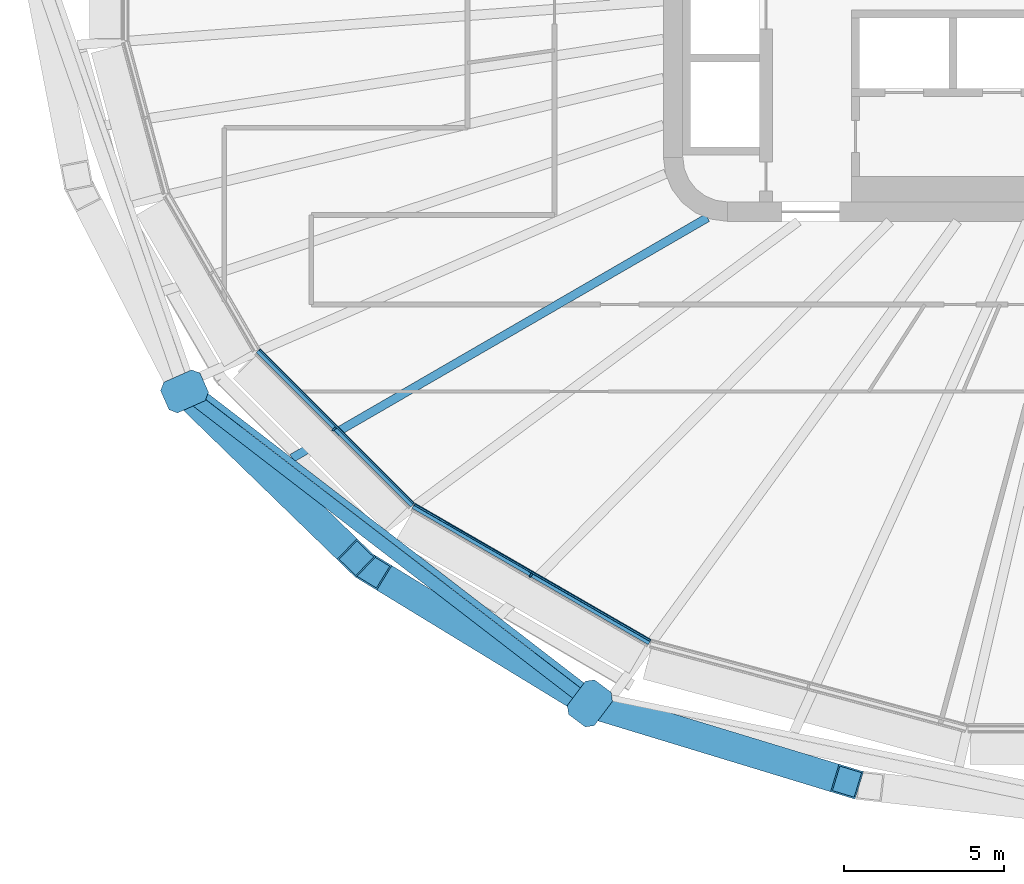
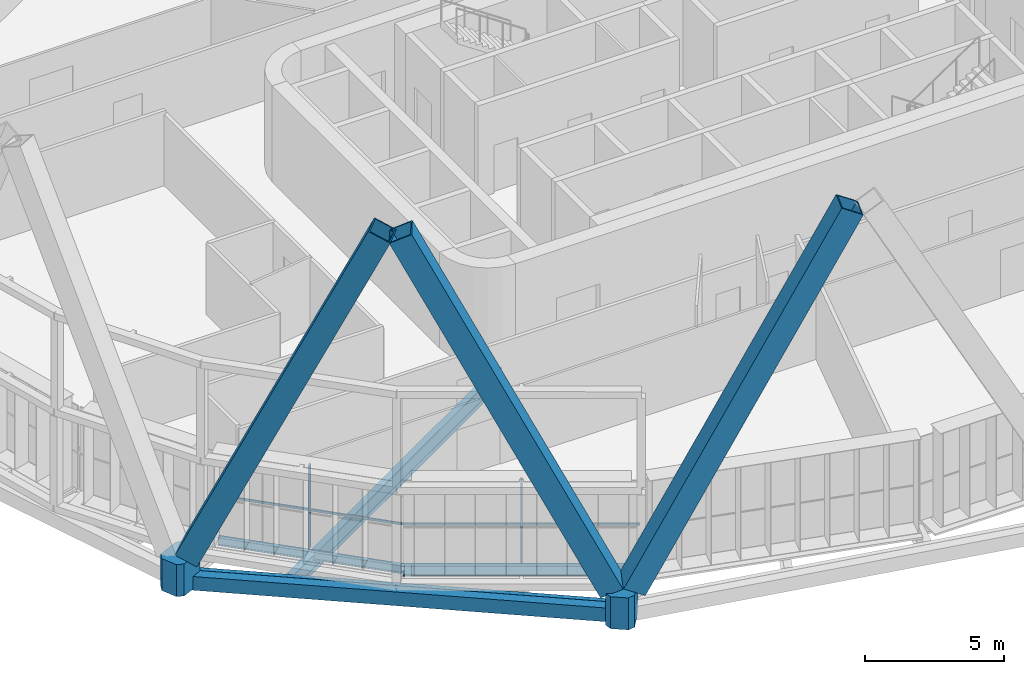
# One storey, part 1 of 25: 9 members, 5 beams, 2 elements without a shape of their own.
"""IFC4 building model written with IfcOpenShell, lengths in metres."""

from ifc_helpers import new_model, si_unit, direction, frame, origin, origin_2d, place, context, subcontext, project, spatial, polyline, rectangle, hollow_rectangle, i_section, outline, extrude, material, layer, layer_set, material_profile, profile_set, type_object, element, aggregate, save


model = new_model("IFC4")

# Units and contexts
model_context = context("Model", 3, precision=1e-05, world=origin(), true_north=direction((0.0, 1.0)))
body_context = subcontext(model_context, "Body", "Model", "MODEL_VIEW")
ifc_project = project(units=[si_unit("LENGTHUNIT", "METRE"), si_unit("AREAUNIT", "SQUARE_METRE"), si_unit("VOLUMEUNIT", "CUBIC_METRE"), si_unit("PLANEANGLEUNIT", "RADIAN"), si_unit("MASSUNIT", "GRAM", prefix="KILO")], contexts=[model_context])

# Site, building, storey
site_placement = place(None, origin())
site = spatial("IfcSite", under=ifc_project, at=site_placement, CompositionType="ELEMENT")
building_placement = place(site_placement, origin())
building = spatial("IfcBuilding", under=site, at=building_placement, Name="Sahrelin Media Tower", CompositionType="ELEMENT")
storey_placement = place(building_placement, frame((0.0, 0.0, 114.60009765625)))
storey = spatial("IfcBuildingStorey", under=building, at=storey_placement, Name="L22", CompositionType="ELEMENT", Elevation=114.60009765625)

# Members
ifc_material_1 = material(Name="Steel S460", Category="steel")
ifc_material_profile_1 = material_profile(ifc_material_1, hollow_rectangle(XDim=0.89990234375, YDim=0.89990234375, WallThickness=0.050048828125, at=origin_2d()), Name="Diagrid diagonal DG3")
ifc_profile_set_1 = profile_set([ifc_material_profile_1], Name="Steel S460")
member_type_1 = type_object("IfcMemberType", Name="Diagrid diagonal DG3", PredefinedType="BRACE", material=ifc_profile_set_1)
member_1_placement = place(storey_placement, frame((-29.72607421875, -13.5400390625, 0.699951171875), z_axis=(0.302361826208, -0.293404554799, 0.906912946911), x_axis=(0.696396816197, 0.717656933632, 0.0)))
element("IfcMember", 1, at=member_1_placement, inside=storey, type_object=member_type_1, Name="Diagrid diagonal D04-14", PredefinedType="BRACE", context=body_context, shape_type="SweptSolid", body=[
    extrude(hollow_rectangle(XDim=0.89990234375, YDim=0.89990234375, WallThickness=0.050048828125, at=origin_2d()), origin(), (0.0, 0.0, 1.0), 16.98046875),
])
member_2_placement = place(storey_placement, frame((-17.59130859375, -22.880126953125, 0.699951171875), z_axis=(-0.377075891817, 0.230216401797, 0.897114362918), x_axis=(-0.521089269606, -0.853502181076, 0.0)))
element("IfcMember", 2, at=member_2_placement, inside=storey, type_object=member_type_1, Name="Diagrid diagonal D04-15", PredefinedType="BRACE", context=body_context, shape_type="SweptSolid", body=[
    extrude(hollow_rectangle(XDim=0.89990234375, YDim=0.89990234375, WallThickness=0.050048828125, at=origin_2d()), origin(), (0.0, 0.0, 1.0), 17.166015625),
])
member_3_placement = place(storey_placement, frame((-16.947998046875, -23.166015625, 0.699951171875), z_axis=(0.442364026097, -0.134663087703, 0.886667875377), x_axis=(0.291222097573, 0.956655470838, 0.0)))
element("IfcMember", 3, at=member_3_placement, inside=storey, type_object=member_type_1, Name="Diagrid diagonal D04-16", PredefinedType="BRACE", context=body_context, shape_type="SweptSolid", body=[
    extrude(hollow_rectangle(XDim=0.89990234375, YDim=0.89990234375, WallThickness=0.050048828125, at=origin_2d()), origin(), (0.0, 0.0, 1.0), 17.368408203125),
])
ifc_material_profile_2 = material_profile(ifc_material_1, outline(polyline([(0.47509765625, -0.52490234375), (0.675048828125, -0.324951171875), (0.675048828125, 0.324951171875), (0.47509765625, 0.52490234375), (-0.47509765625, 0.52490234375), (-0.675048828125, 0.324951171875), (-0.675048828125, -0.324951171875), (-0.47509765625, -0.52490234375), (0.47509765625, -0.52490234375)])), Name="Diagrid node block 1350")
ifc_profile_set_2 = profile_set([ifc_material_profile_2], Name="Steel S460")
member_type_2 = type_object("IfcMemberType", Name="Diagrid node block 1350", PredefinedType="USERDEFINED", material=ifc_profile_set_2)
for number, where, z_axis, x_axis, name in (
    (4, (-29.95947265625, -13.313720703125, -0.7001953125), (0.0, 0.0, 1.0), (-0.913831317054, -0.40609398416, 0.0), "Diagrid node N04-07"),
    (5, (-17.297119140625, -23.059814453125, -0.7001953125), (0.0, 0.0, 1.0), (-0.600050297167, -0.799962274654, 0.0), "Diagrid node N04-08"),
):
    element("IfcMember", number, at=place(storey_placement, frame(where, z_axis=z_axis, x_axis=x_axis)), inside=storey, type_object=member_type_2, Name=name, ObjectType="NODE", PredefinedType="USERDEFINED", context=body_context, shape_type="SweptSolid", body=[
        extrude(outline(polyline([(0.47509765625, -0.52490234375), (0.675048828125, -0.324951171875), (0.675048828125, 0.324951171875), (0.47509765625, 0.52490234375), (-0.47509765625, 0.52490234375), (-0.675048828125, 0.324951171875), (-0.675048828125, -0.324951171875), (-0.47509765625, -0.52490234375), (0.47509765625, -0.52490234375)])), origin(), (0.0, 0.0, 1.0), 1.400146484375),
    ])

# Beams
ifc_material_profile_3 = material_profile(ifc_material_1, hollow_rectangle(XDim=0.39990234375, YDim=0.60009765625, WallThickness=0.030029296875, at=origin_2d()), Name="Diagrid ring beam RB1")
ifc_profile_set_3 = profile_set([ifc_material_profile_3], Name="Steel S460")
beam_type_1 = type_object("IfcBeamType", Name="Diagrid ring beam RB1", PredefinedType="BEAM", material=ifc_profile_set_3)
beam_1_placement = place(storey_placement, frame((-29.95947265625, -13.313720703125, -0.4501953125), z_axis=(0.792447877792, -0.609939637163, 0.0), x_axis=(0.609939637163, 0.792447877792, 0.0)))
element("IfcBeam", 6, at=beam_1_placement, inside=storey, type_object=beam_type_1, Name="Diagrid ring beam RB04-07", PredefinedType="BEAM", context=body_context, shape_type="SweptSolid", body=[
    extrude(hollow_rectangle(XDim=0.39990234375, YDim=0.60009765625, WallThickness=0.030029296875, at=origin_2d()), origin(), (0.0, 0.0, 1.0), 15.978759765625),
])
ifc_material_2 = material(Name="Steel S355", Category="steel")
ifc_material_profile_4 = material_profile(ifc_material_2, i_section(OverallWidth=0.17138671875, OverallDepth=0.35498046875, WebThickness=0.00732421875, FlangeThickness=0.011474609375, FilletRadius=0.01025390625, at=origin_2d()), Name="UB 356x171x51")
ifc_profile_set_4 = profile_set([ifc_material_profile_4], Name="Steel S355")
beam_type_2 = type_object("IfcBeamType", Name="Edge beam EB3", PredefinedType="BEAM", material=ifc_profile_set_4)
beam_2_placement = place(storey_placement, frame((-22.829345703125, -16.8642578125, -0.32763671875), z_axis=(-0.707106781187, 0.707106781187, 0.0), x_axis=(-0.707106781187, -0.707106781187, 0.0)))
element("IfcBeam", 7, at=beam_2_placement, inside=storey, type_object=beam_type_2, Name="Edge beam L22-10", PredefinedType="BEAM", context=body_context, shape_type="SweptSolid", body=[
    extrude(i_section(OverallWidth=0.17138671875, OverallDepth=0.35498046875, WebThickness=0.00732421875, FlangeThickness=0.011474609375, FilletRadius=0.01025390625, at=origin_2d()), origin(), (0.0, 0.0, 1.0), 6.82666015625),
])
ifc_material_profile_5 = material_profile(ifc_material_2, i_section(OverallWidth=0.1904296875, OverallDepth=0.45703125, WebThickness=0.009033203125, FlangeThickness=0.014404296875, FilletRadius=0.01025390625, at=origin_2d()), Name="UB 457x191x74")
ifc_profile_set_5 = profile_set([ifc_material_profile_5], Name="Steel S355")
beam_type_3 = type_object("IfcBeamType", Name="Edge beam EB5", PredefinedType="BEAM", material=ifc_profile_set_5)
beam_3_placement = place(storey_placement, frame((-15.4248046875, -21.143798828125, -0.378662109375), z_axis=(-0.866015300231, 0.500017499459, 0.0), x_axis=(-0.500017499459, -0.866015300231, 0.0)))
element("IfcBeam", 8, at=beam_3_placement, inside=storey, type_object=beam_type_3, Name="Edge beam L22-09", PredefinedType="BEAM", context=body_context, shape_type="SweptSolid", body=[
    extrude(i_section(OverallWidth=0.1904296875, OverallDepth=0.45703125, WebThickness=0.009033203125, FlangeThickness=0.014404296875, FilletRadius=0.01025390625, at=origin_2d()), origin(), (0.0, 0.0, 1.0), 8.523681640625),
])

# Curtain wall, member
ifc_material_3 = material(Name="Champagne anodised aluminium 6063-T6", Category="aluminium")
ifc_layer = layer(ifc_material_3, 0.14990234375)
ifc_layer_set = layer_set([ifc_layer], Name="Tower ribbon curtain wall")
curtain_wall_type = type_object("IfcCurtainWallType", Name="Tower ribbon curtain wall", PredefinedType="NOTDEFINED", material=ifc_layer_set)
curtain_wall_1_placement = place(storey_placement, frame((-25.34912109375, -14.556884765625, 0.0), z_axis=(0.0, 0.0, 1.0), x_axis=(1.0, 0.0, 0.0)))
curtain_wall_1 = element("IfcCurtainWall", 9, at=curtain_wall_1_placement, inside=storey, type_object=curtain_wall_type, Name="L22:CW:L22-15", PredefinedType="NOTDEFINED")
ifc_material_profile_6 = material_profile(ifc_material_3, rectangle(XDim=0.06005859375, YDim=0.14990234375, at=origin_2d()), Name="Mullion 60x150")
ifc_profile_set_6 = profile_set([ifc_material_profile_6], Name="Champagne anodised aluminium 6063-T6")
member_type_3 = type_object("IfcMemberType", Name="Mullion 60x150 CW1", PredefinedType="MULLION", material=ifc_profile_set_6)
member_4_placement = place(storey_placement, frame((-25.28173828125, -14.489501953125, 0.0), z_axis=(0.0, 0.0, 1.0), x_axis=(0.707099376343, -0.707114185953, 0.0)))
member_4 = element("IfcMember", 10, at=member_4_placement, type_object=member_type_3, Name="L22:CWM:L22-15", PredefinedType="MULLION", context=body_context, shape_type="SweptSolid", body=[
    extrude(rectangle(XDim=0.06005859375, YDim=0.14990234375, at=origin_2d()), origin(), (0.0, 0.0, 1.0), 3.6484375),
])

curtain_wall_2_placement = place(storey_placement, frame((-19.190673828125, -19.142578125, 0.0), z_axis=(0.0, 0.0, 1.0), x_axis=(1.0, 0.0, 0.0)))
curtain_wall_2 = element("IfcCurtainWall", 11, at=curtain_wall_2_placement, inside=storey, type_object=curtain_wall_type, Name="L22:CW:L22-16", PredefinedType="NOTDEFINED")
member_5_placement = place(storey_placement, frame((-19.143310546875, -19.060302734375, 0.0), z_axis=(0.0, 0.0, 1.0), x_axis=(0.866026276448, -0.4999984885, 0.0)))
member_5 = element("IfcMember", 12, at=member_5_placement, type_object=member_type_3, Name="L22:CWM:L22-16", PredefinedType="MULLION", context=body_context, shape_type="SweptSolid", body=[
    extrude(rectangle(XDim=0.06005859375, YDim=0.14990234375, at=origin_2d()), origin(), (0.0, 0.0, 1.0), 3.6484375),
])

# Beams
ifc_material_profile_7 = material_profile(ifc_material_2, i_section(OverallWidth=0.26513671875, OverallDepth=0.75390625, WebThickness=0.0126953125, FlangeThickness=0.017578125, FilletRadius=0.0166015625, at=origin_2d()), Name="UB 762x267x147")
ifc_profile_set_7 = profile_set([ifc_material_profile_7], Name="Steel S355")
beam_type_4 = type_object("IfcBeamType", Name="Radial secondary beam SB9", PredefinedType="BEAM", material=ifc_profile_set_7)
beam_4_placement = place(storey_placement, frame((-13.625244140625, -7.88720703125, -0.527099609375), z_axis=(-0.865456011638, -0.500984921848, 0.0), x_axis=(0.500984921848, -0.865456011638, 0.0)))
element("IfcBeam", 13, at=beam_4_placement, inside=storey, type_object=beam_type_4, Name="Secondary beam L22-15", PredefinedType="BEAM", context=body_context, shape_type="SweptSolid", body=[
    extrude(i_section(OverallWidth=0.26513671875, OverallDepth=0.75390625, WebThickness=0.0126953125, FlangeThickness=0.017578125, FilletRadius=0.0166015625, at=origin_2d()), origin(), (0.0, 0.0, 1.0), 14.993896484375),
])
ifc_material_profile_8 = material_profile(ifc_material_2, i_section(OverallWidth=0.1904296875, OverallDepth=0.45703125, WebThickness=0.009033203125, FlangeThickness=0.014404296875, FilletRadius=0.01025390625, at=origin_2d()), Name="UB 457x191x74")
ifc_profile_set_8 = profile_set([ifc_material_profile_8], Name="Steel S355")
beam_type_5 = type_object("IfcBeamType", Name="Tie chord TC5", PredefinedType="BEAM", material=ifc_profile_set_8)
beam_5_placement = place(storey_placement, frame((-17.168701171875, -22.77978515625, -0.378662109375), z_axis=(-0.79244496404, 0.60994342276, 0.0), x_axis=(-0.60994342276, -0.79244496404, 0.0)))
element("IfcBeam", 14, at=beam_5_placement, inside=storey, type_object=beam_type_5, Name="Tie chord L22-05", PredefinedType="BEAM", context=body_context, shape_type="SweptSolid", body=[
    extrude(i_section(OverallWidth=0.1904296875, OverallDepth=0.45703125, WebThickness=0.009033203125, FlangeThickness=0.014404296875, FilletRadius=0.01025390625, at=origin_2d()), origin(), (0.0, 0.0, 1.0), 15.820068359375),
])

# Member
ifc_material_profile_9 = material_profile(ifc_material_3, rectangle(XDim=0.050048828125, YDim=0.10009765625, at=origin_2d()), Name="Transom 50x100")
ifc_profile_set_9 = profile_set([ifc_material_profile_9], Name="Champagne anodised aluminium 6063-T6")
member_type_4 = type_object("IfcMemberType", Name="Transom 50x100 CW1", PredefinedType="USERDEFINED", material=ifc_profile_set_9)
member_6_placement = place(storey_placement, frame((-27.613525390625, -12.0166015625, 1.599853515625), z_axis=(0.707124745613, -0.707088816303, 0.0), x_axis=(0.707088816303, 0.707124745613, 0.0)))
member_6 = element("IfcMember", 15, at=member_6_placement, type_object=member_type_4, Name="L22:CWT:L22-15", ObjectType="TRANSOM", PredefinedType="USERDEFINED", context=body_context, shape_type="SweptSolid", body=[
    extrude(rectangle(XDim=0.050048828125, YDim=0.10009765625, at=origin_2d()), origin(), (0.0, 0.0, 1.0), 6.794921875),
])

aggregate(curtain_wall_1, [member_4, member_6])

member_7_placement = place(storey_placement, frame((-22.7705078125, -16.8505859375, 1.599853515625), z_axis=(0.866026642527, -0.499997854429, 0.0), x_axis=(0.499997854429, 0.866026642527, 0.0)))
member_7 = element("IfcMember", 16, at=member_7_placement, type_object=member_type_4, Name="L22:CWT:L22-16", ObjectType="TRANSOM", PredefinedType="USERDEFINED", context=body_context, shape_type="SweptSolid", body=[
    extrude(rectangle(XDim=0.050048828125, YDim=0.10009765625, at=origin_2d()), origin(), (0.0, 0.0, 1.0), 8.4921875),
])

aggregate(curtain_wall_2, [member_5, member_7])

save(model, "model.ifc")
